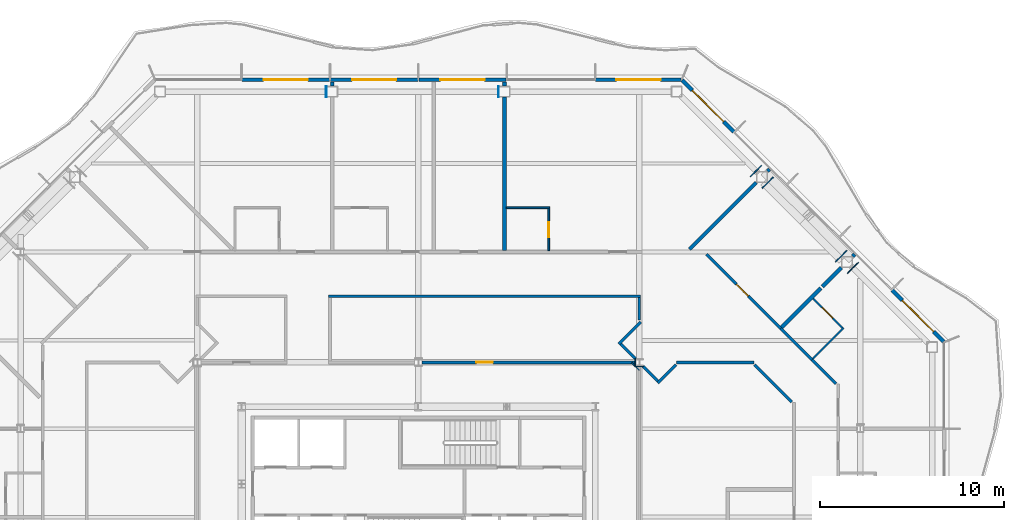
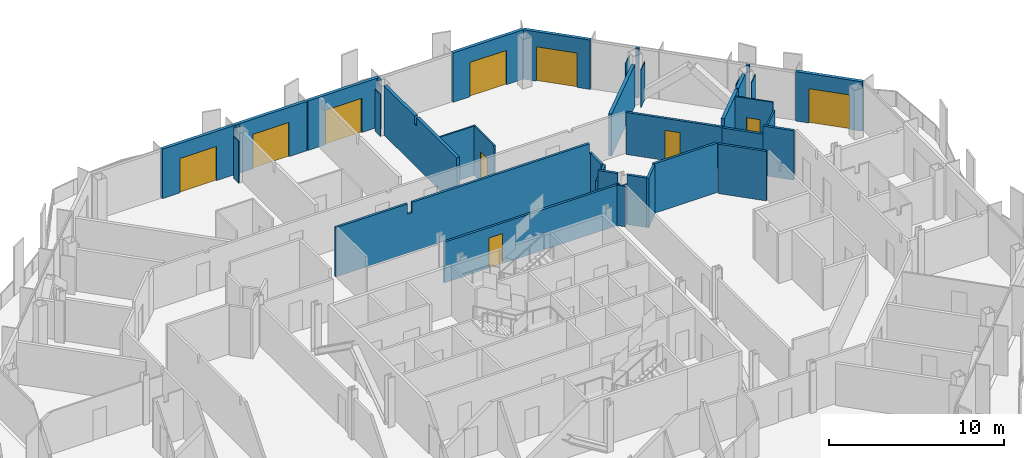
# One storey, part 13 of 20: 39 walls, 10 doors, 10 openings.
"""IFC4 building model written with IfcOpenShell, lengths in metres."""

from ifc_helpers import new_model, si_unit, direction, frame, frame_2d, origin, place, context, subcontext, project, spatial, polyline, rectangle, outline, extrude, material, layer, layer_set, type_object, element, fill, save


model = new_model("IFC4")

# Units and contexts
model_context = context("Model", 3, precision=1e-05, world=origin(), true_north=direction((0.0, 1.0)))
body_context = subcontext(model_context, "Body", "Model", "MODEL_VIEW")
ifc_project = project(units=[si_unit("LENGTHUNIT", "METRE"), si_unit("AREAUNIT", "SQUARE_METRE"), si_unit("VOLUMEUNIT", "CUBIC_METRE"), si_unit("PLANEANGLEUNIT", "RADIAN"), si_unit("MASSUNIT", "GRAM", prefix="KILO")], contexts=[model_context])

# Site, building, storey
site_placement = place(None, origin())
site = spatial("IfcSite", under=ifc_project, at=site_placement, CompositionType="ELEMENT")
building_placement = place(site_placement, origin())
building = spatial("IfcBuilding", under=site, at=building_placement, Name="Cairn Pilgrim Tower", CompositionType="ELEMENT")
storey_placement = place(building_placement, frame((0.0, 0.0, 165.0)))
storey = spatial("IfcBuildingStorey", under=building, at=storey_placement, Name="L41", CompositionType="ELEMENT", Elevation=165.0)

# Wall, opening, door
ifc_material_1 = material(Name="Bronze anodised aluminium insulated sandwich panel with mineral wool fill", Category="aluminium")
ifc_layer_1 = layer(ifc_material_1, 0.199951171875)
ifc_layer_set_1 = layer_set([ifc_layer_1], Name="BRONZE INFILL FRAME WALL 200")
wall_type_1 = type_object("IfcWallType", Name="BRONZE INFILL FRAME WALL 200", PredefinedType="NOTDEFINED", material=ifc_layer_set_1)
wall_1_placement = place(storey_placement, frame((35.7216796875, 14.32470703125, 0.0), z_axis=(0.0, 0.0, 1.0), x_axis=(-0.707106781187, 0.707106781187, 0.0)))
wall_1 = element("IfcWall", 1, at=wall_1_placement, inside=storey, type_object=wall_type_1, Name="Bronze infill frame wall IW-NE1", PredefinedType="NOTDEFINED", context=body_context, shape_type="SweptSolid", body=[
    extrude(rectangle(XDim=3.961669921875, YDim=0.199951171875, at=frame_2d((1.98095703125, 0.0))), origin(), (0.0, 0.0, 1.0), 3.449951171875),
])
opening_1_placement = place(wall_1_placement, frame((0.775390625, 0.0, 0.0)))
opening_1 = element("IfcOpeningElement", 2, at=opening_1_placement, cuts=wall_1, Name="Opening 4108B", PredefinedType="OPENING", context=body_context, shape_type="SweptSolid", body=[
    extrude(rectangle(XDim=2.39990234375, YDim=2.39990234375, at=frame_2d((1.199951171875, 1.199951171875))), frame((0.0, 0.10986328125, 0.0), z_axis=(0.0, -1.0, 0.0), x_axis=(1.0, 0.0, 0.0)), (0.0, 0.0, 1.0), 0.219970703125),
])
ifc_material_2 = material(Name="Bronze anodised aluminium frame with tinted low-E glass", Category="aluminium")
door_type_1 = type_object("IfcDoorType", Name="BALCONY SLIDING DOOR 2400x2400", OperationType="DOUBLE_DOOR_SLIDING", PredefinedType="DOOR", material=ifc_material_2)
door_1_placement = place(opening_1_placement, origin())
door_1 = element("IfcDoor", 3, at=door_1_placement, inside=storey, type_object=door_type_1, Name="Balcony sliding door 4108B", OperationType="SINGLE_SWING_LEFT", OverallHeight=2.39990234375, OverallWidth=2.39990234375, PredefinedType="DOOR", context=body_context, shape_type="SweptSolid", body=[
    extrude(rectangle(XDim=2.39990234375, YDim=2.39990234375, at=frame_2d((1.199951171875, 1.199951171875))), frame((0.0, 0.02490234375, 0.0), z_axis=(0.0, -1.0, 0.0), x_axis=(1.0, 0.0, 0.0)), (0.0, 0.0, 1.0), 0.050048828125),
])
fill(opening_1, door_1)

wall_2_placement = place(storey_placement, frame((24.325927734375, 25.720458984375, 0.0), z_axis=(0.0, 0.0, 1.0), x_axis=(-0.707106781187, 0.707106781187, 0.0)))
wall_2 = element("IfcWall", 4, at=wall_2_placement, inside=storey, type_object=wall_type_1, Name="Bronze infill frame wall IW-NE5", PredefinedType="NOTDEFINED", context=body_context, shape_type="SweptSolid", body=[
    extrude(rectangle(XDim=3.961669921875, YDim=0.199951171875, at=frame_2d((1.98095703125, 0.0))), origin(), (0.0, 0.0, 1.0), 3.449951171875),
])
opening_2_placement = place(wall_2_placement, frame((0.78564453125, 0.0, 0.0)))
opening_2 = element("IfcOpeningElement", 5, at=opening_2_placement, cuts=wall_2, Name="Opening 4110B", PredefinedType="OPENING", context=body_context, shape_type="SweptSolid", body=[
    extrude(rectangle(XDim=2.39990234375, YDim=2.39990234375, at=frame_2d((1.199951171875, 1.199951171875))), frame((0.0, 0.10986328125, 0.0), z_axis=(0.0, -1.0, 0.0), x_axis=(1.0, 0.0, 0.0)), (0.0, 0.0, 1.0), 0.219970703125),
])
door_2_placement = place(opening_2_placement, origin())
door_2 = element("IfcDoor", 6, at=door_2_placement, inside=storey, type_object=door_type_1, Name="Balcony sliding door 4110B", OperationType="SINGLE_SWING_LEFT", OverallHeight=2.39990234375, OverallWidth=2.39990234375, PredefinedType="DOOR", context=body_context, shape_type="SweptSolid", body=[
    extrude(rectangle(XDim=2.39990234375, YDim=2.39990234375, at=frame_2d((1.199951171875, 1.199951171875))), frame((0.0, 0.02490234375, 0.0), z_axis=(0.0, -1.0, 0.0), x_axis=(1.0, 0.0, 0.0)), (0.0, 0.0, 1.0), 0.050048828125),
])
fill(opening_2, door_2)

wall_3_placement = place(storey_placement, frame((21.45654296875, 28.550048828125, 0.0), z_axis=(0.0, 0.0, 1.0), x_axis=(-1.0, 0.0, 0.0)))
wall_3 = element("IfcWall", 7, at=wall_3_placement, inside=storey, type_object=wall_type_1, Name="Bronze infill frame wall IW-N1", PredefinedType="NOTDEFINED", context=body_context, shape_type="SweptSolid", body=[
    extrude(rectangle(XDim=4.62646484375, YDim=0.199951171875, at=frame_2d((2.313232421875, 0.0))), origin(), (0.0, 0.0, 1.0), 3.449951171875),
])
opening_3_placement = place(wall_3_placement, frame((1.1083984375, 0.0, 0.0)))
opening_3 = element("IfcOpeningElement", 8, at=opening_3_placement, cuts=wall_3, Name="Opening 4110B2", PredefinedType="OPENING", context=body_context, shape_type="SweptSolid", body=[
    extrude(rectangle(XDim=2.39990234375, YDim=2.39990234375, at=frame_2d((1.199951171875, 1.199951171875))), frame((0.0, 0.10986328125, 0.0), z_axis=(0.0, -1.0, 0.0), x_axis=(1.0, 0.0, 0.0)), (0.0, 0.0, 1.0), 0.219970703125),
])
door_3_placement = place(opening_3_placement, origin())
door_3 = element("IfcDoor", 9, at=door_3_placement, inside=storey, type_object=door_type_1, Name="Balcony sliding door 4110B2", OperationType="SINGLE_SWING_LEFT", OverallHeight=2.39990234375, OverallWidth=2.39990234375, PredefinedType="DOOR", context=body_context, shape_type="SweptSolid", body=[
    extrude(rectangle(XDim=2.39990234375, YDim=2.39990234375, at=frame_2d((1.199951171875, 1.199951171875))), frame((0.0, 0.02490234375, 0.0), z_axis=(0.0, -1.0, 0.0), x_axis=(1.0, 0.0, 0.0)), (0.0, 0.0, 1.0), 0.050048828125),
])
fill(opening_3, door_3)

wall_4_placement = place(storey_placement, frame((11.969970703125, 28.550048828125, 0.0), z_axis=(0.0, 0.0, 1.0), x_axis=(-1.0, 0.0, 0.0)))
wall_4 = element("IfcWall", 10, at=wall_4_placement, inside=storey, type_object=wall_type_1, Name="Bronze infill frame wall IW-N3", PredefinedType="NOTDEFINED", context=body_context, shape_type="SweptSolid", body=[
    extrude(rectangle(XDim=4.739990234375, YDim=0.199951171875, at=frame_2d((2.3701171875, 0.0))), origin(), (0.0, 0.0, 1.0), 3.449951171875),
])
opening_4_placement = place(wall_4_placement, frame((1.17041015625, 0.0, 0.0)))
opening_4 = element("IfcOpeningElement", 11, at=opening_4_placement, cuts=wall_4, Name="Opening 4111B", PredefinedType="OPENING", context=body_context, shape_type="SweptSolid", body=[
    extrude(rectangle(XDim=2.39990234375, YDim=2.39990234375, at=frame_2d((1.199951171875, 1.199951171875))), frame((0.0, 0.10986328125, 0.0), z_axis=(0.0, -1.0, 0.0), x_axis=(1.0, 0.0, 0.0)), (0.0, 0.0, 1.0), 0.219970703125),
])
door_4_placement = place(opening_4_placement, origin())
door_4 = element("IfcDoor", 12, at=door_4_placement, inside=storey, type_object=door_type_1, Name="Balcony sliding door 4111B", OperationType="SINGLE_SWING_LEFT", OverallHeight=2.39990234375, OverallWidth=2.39990234375, PredefinedType="DOOR", context=body_context, shape_type="SweptSolid", body=[
    extrude(rectangle(XDim=2.39990234375, YDim=2.39990234375, at=frame_2d((1.199951171875, 1.199951171875))), frame((0.0, 0.02490234375, 0.0), z_axis=(0.0, -1.0, 0.0), x_axis=(1.0, 0.0, 0.0)), (0.0, 0.0, 1.0), 0.050048828125),
])
fill(opening_4, door_4)

wall_5_placement = place(storey_placement, frame((7.169921875, 28.550048828125, 0.0), z_axis=(0.0, 0.0, 1.0), x_axis=(-1.0, 0.0, 0.0)))
wall_5 = element("IfcWall", 13, at=wall_5_placement, inside=storey, type_object=wall_type_1, Name="Bronze infill frame wall IW-N4", PredefinedType="NOTDEFINED", context=body_context, shape_type="SweptSolid", body=[
    extrude(rectangle(XDim=4.739990234375, YDim=0.199951171875, at=frame_2d((2.3701171875, 0.0))), origin(), (0.0, 0.0, 1.0), 3.449951171875),
])
opening_5_placement = place(wall_5_placement, frame((1.17041015625, 0.0, 0.0)))
opening_5 = element("IfcOpeningElement", 14, at=opening_5_placement, cuts=wall_5, Name="Opening 4112B", PredefinedType="OPENING", context=body_context, shape_type="SweptSolid", body=[
    extrude(rectangle(XDim=2.39990234375, YDim=2.39990234375, at=frame_2d((1.199951171875, 1.199951171875))), frame((0.0, 0.10986328125, 0.0), z_axis=(0.0, -1.0, 0.0), x_axis=(1.0, 0.0, 0.0)), (0.0, 0.0, 1.0), 0.219970703125),
])
door_5_placement = place(opening_5_placement, origin())
door_5 = element("IfcDoor", 15, at=door_5_placement, inside=storey, type_object=door_type_1, Name="Balcony sliding door 4112B", OperationType="SINGLE_SWING_LEFT", OverallHeight=2.39990234375, OverallWidth=2.39990234375, PredefinedType="DOOR", context=body_context, shape_type="SweptSolid", body=[
    extrude(rectangle(XDim=2.39990234375, YDim=2.39990234375, at=frame_2d((1.199951171875, 1.199951171875))), frame((0.0, 0.02490234375, 0.0), z_axis=(0.0, -1.0, 0.0), x_axis=(1.0, 0.0, 0.0)), (0.0, 0.0, 1.0), 0.050048828125),
])
fill(opening_5, door_5)

wall_6_placement = place(storey_placement, frame((2.3701171875, 28.550048828125, 0.0), z_axis=(0.0, 0.0, 1.0), x_axis=(-1.0, 0.0, 0.0)))
wall_6 = element("IfcWall", 16, at=wall_6_placement, inside=storey, type_object=wall_type_1, Name="Bronze infill frame wall IW-N5", PredefinedType="NOTDEFINED", context=body_context, shape_type="SweptSolid", body=[
    extrude(rectangle(XDim=4.740234375, YDim=0.199951171875, at=frame_2d((2.3701171875, 0.0))), origin(), (0.0, 0.0, 1.0), 3.449951171875),
])
opening_6_placement = place(wall_6_placement, frame((1.169677734375, 0.0, 0.0)))
opening_6 = element("IfcOpeningElement", 17, at=opening_6_placement, cuts=wall_6, Name="Opening 4113B", PredefinedType="OPENING", context=body_context, shape_type="SweptSolid", body=[
    extrude(rectangle(XDim=2.39990234375, YDim=2.39990234375, at=frame_2d((1.199951171875, 1.199951171875))), frame((0.0, 0.10986328125, 0.0), z_axis=(0.0, -1.0, 0.0), x_axis=(1.0, 0.0, 0.0)), (0.0, 0.0, 1.0), 0.219970703125),
])
door_6_placement = place(opening_6_placement, origin())
door_6 = element("IfcDoor", 18, at=door_6_placement, inside=storey, type_object=door_type_1, Name="Balcony sliding door 4113B", OperationType="SINGLE_SWING_LEFT", OverallHeight=2.39990234375, OverallWidth=2.39990234375, PredefinedType="DOOR", context=body_context, shape_type="SweptSolid", body=[
    extrude(rectangle(XDim=2.39990234375, YDim=2.39990234375, at=frame_2d((1.199951171875, 1.199951171875))), frame((0.0, 0.02490234375, 0.0), z_axis=(0.0, -1.0, 0.0), x_axis=(1.0, 0.0, 0.0)), (0.0, 0.0, 1.0), 0.050048828125),
])
fill(opening_6, door_6)

# Wall
ifc_material_3 = material(Name="Gypsum partition")
ifc_layer_2 = layer(ifc_material_3, 0.10009765625)
ifc_layer_set_2 = layer_set([ifc_layer_2], Name="PARTITION 100 DRYWALL")
wall_type_2 = type_object("IfcWallType", Name="PARTITION 100 DRYWALL", PredefinedType="PARTITIONING", material=ifc_layer_set_2)
wall_7_placement = place(storey_placement, frame((28.6201171875, 13.40087890625, 0.0), z_axis=(0.0, 0.0, 1.0), x_axis=(0.707055379538, 0.707158179099, 0.0)))
element("IfcWall", 19, at=wall_7_placement, inside=storey, type_object=wall_type_2, Name="PARTITION W085", PredefinedType="PARTITIONING", context=body_context, shape_type="SweptSolid", body=[
    extrude(rectangle(XDim=2.375, YDim=0.10009765625, at=frame_2d((1.1875, 0.0))), origin(), (0.0, 0.0, 1.0), 2.8798828125),
])

# Wall, opening, door
wall_8_placement = place(storey_placement, frame((30.228515625, 15.080322265625, 0.0), z_axis=(0.0, 0.0, 1.0), x_axis=(-0.707052524, 0.70716103421, 0.0)))
wall_8 = element("IfcWall", 20, at=wall_8_placement, inside=storey, type_object=wall_type_2, Name="PARTITION W091", PredefinedType="PARTITIONING", context=body_context, shape_type="SweptSolid", body=[
    extrude(rectangle(XDim=2.25, YDim=0.10009765625, at=frame_2d((1.125, 0.0))), origin(), (0.0, 0.0, 1.0), 3.449951171875),
])
opening_7_placement = place(wall_8_placement, frame((0.75, 0.0, 0.0)))
opening_7 = element("IfcOpeningElement", 21, at=opening_7_placement, cuts=wall_8, Name="Opening 4108A", PredefinedType="OPENING", context=body_context, shape_type="SweptSolid", body=[
    extrude(rectangle(XDim=0.800048828125, YDim=2.10009765625, at=frame_2d((0.39990234375, 1.050048828125))), frame((0.0, 0.06005859375, 0.0), z_axis=(0.0, -1.0, 0.0), x_axis=(1.0, 0.0, 0.0)), (0.0, 0.0, 1.0), 0.1201171875),
])
ifc_material_4 = material(Name="Timber door leaf", Category="wood")
door_type_2 = type_object("IfcDoorType", Name="WC DOOR 800x2100", OperationType="NOTDEFINED", PredefinedType="DOOR", material=ifc_material_4)
door_7_placement = place(opening_7_placement, frame((0.800048828125, 0.0, 0.0), z_axis=(0.0, 0.0, 1.0), x_axis=(-1.0, 0.0, 0.0)))
door_7 = element("IfcDoor", 22, at=door_7_placement, inside=storey, type_object=door_type_2, Name="DOOR 4108A", OperationType="SINGLE_SWING_RIGHT", OverallHeight=2.10009765625, OverallWidth=0.800048828125, PredefinedType="DOOR", context=body_context, shape_type="SweptSolid", body=[
    extrude(rectangle(XDim=0.800048828125, YDim=2.10009765625, at=frame_2d((0.39990234375, 1.050048828125))), frame((0.0, 0.02490234375, 0.0), z_axis=(0.0, -1.0, 0.0), x_axis=(1.0, 0.0, 0.0)), (0.0, 0.0, 1.0), 0.050048828125),
])
fill(opening_7, door_7)

wall_9_placement = place(storey_placement, frame((14.27587890625, 19.27490234375, 0.0), z_axis=(0.0, 0.0, 1.0), x_axis=(0.0, 1.0, 0.0)))
wall_9 = element("IfcWall", 23, at=wall_9_placement, inside=storey, type_object=wall_type_2, Name="PARTITION W110", PredefinedType="PARTITIONING", context=body_context, shape_type="SweptSolid", body=[
    extrude(outline(polyline([(0.0, 0.0), (2.275146484375, 0.0), (2.27490234375, 3.449951171875), (0.030029296875, 3.449951171875), (0.028076171875, 2.8798828125), (0.0, 2.8798828125), (0.0, 0.0)])), frame((0.0, 0.050048828125, 0.0), z_axis=(0.0, -1.0, 0.0), x_axis=(1.0, 0.0, 0.0)), (0.0, 0.0, 1.0), 0.10009765625),
])
opening_8_placement = place(wall_9_placement, frame((0.72509765625, 0.0, 0.0)))
opening_8 = element("IfcOpeningElement", 24, at=opening_8_placement, cuts=wall_9, Name="Opening 4110A", PredefinedType="OPENING", context=body_context, shape_type="SweptSolid", body=[
    extrude(rectangle(XDim=0.800048828125, YDim=2.10009765625, at=frame_2d((0.39990234375, 1.050048828125))), frame((0.0, 0.06005859375, 0.0), z_axis=(0.0, -1.0, 0.0), x_axis=(1.0, 0.0, 0.0)), (0.0, 0.0, 1.0), 0.1201171875),
])
door_8_placement = place(opening_8_placement, frame((0.800048828125, 0.0, 0.0), z_axis=(0.0, 0.0, 1.0), x_axis=(-1.0, 0.0, 0.0)))
door_8 = element("IfcDoor", 25, at=door_8_placement, inside=storey, type_object=door_type_2, Name="DOOR 4110A", OperationType="SINGLE_SWING_LEFT", OverallHeight=2.10009765625, OverallWidth=0.800048828125, PredefinedType="DOOR", context=body_context, shape_type="SweptSolid", body=[
    extrude(rectangle(XDim=0.800048828125, YDim=2.10009765625, at=frame_2d((0.39990234375, 1.050048828125))), frame((0.0, 0.02490234375, 0.0), z_axis=(0.0, -1.0, 0.0), x_axis=(1.0, 0.0, 0.0)), (0.0, 0.0, 1.0), 0.050048828125),
])
fill(opening_8, door_8)

# Walls
wall_10_placement = place(storey_placement, frame((11.97607421875, 21.60009765625, 0.0), z_axis=(0.0, 0.0, 1.0), x_axis=(1.0, 0.0, 0.0)))
element("IfcWall", 26, at=wall_10_placement, inside=storey, type_object=wall_type_2, Name="PARTITION W115", PredefinedType="PARTITIONING", context=body_context, shape_type="SweptSolid", body=[
    extrude(rectangle(XDim=2.349853515625, YDim=0.10009765625, at=frame_2d((1.1748046875, 0.0))), origin(), (0.0, 0.0, 1.0), 3.449951171875),
])
ifc_layer_3 = layer(ifc_material_3, 0.14990234375)
ifc_layer_set_3 = layer_set([ifc_layer_3], Name="PARTITION 150 DRYWALL EI 60")
wall_type_3 = type_object("IfcWallType", Name="PARTITION 150 DRYWALL EI 60", PredefinedType="PARTITIONING", material=ifc_layer_set_3)
wall_11_placement = place(storey_placement, frame((27.471923828125, 11.049072265625, 0.0), z_axis=(0.0, 0.0, 1.0), x_axis=(-0.707106781187, 0.707106781187, 0.0)))
element("IfcWall", 27, at=wall_11_placement, inside=storey, type_object=wall_type_3, Name="PARTITION W068", PredefinedType="PARTITIONING", context=body_context, shape_type="SweptSolid", body=[
    extrude(rectangle(XDim=2.86083984375, YDim=0.14990234375, at=frame_2d((1.430419921875, 0.0))), origin(), (0.0, 0.0, 1.0), 3.449951171875),
])
wall_12_placement = place(storey_placement, frame((29.8720703125, 12.04296875, 0.0), z_axis=(0.0, 0.0, 1.0), x_axis=(-0.707172918471, 0.707040637716, 0.0)))
element("IfcWall", 28, at=wall_12_placement, inside=storey, type_object=wall_type_3, Name="PARTITION W070", PredefinedType="PARTITIONING", context=body_context, shape_type="SweptSolid", body=[
    extrude(rectangle(XDim=1.845703125, YDim=0.14990234375, at=frame_2d((0.9228515625, 0.0))), origin(), (0.0, 0.0, 1.0), 3.449951171875),
])
wall_13_placement = place(storey_placement, frame((20.2080078125, 12.0859375, 0.0), z_axis=(0.0, 0.0, 1.0), x_axis=(0.706756381459, 0.707457007363, 0.0)))
element("IfcWall", 29, at=wall_13_placement, inside=storey, type_object=wall_type_3, Name="PARTITION W072", PredefinedType="PARTITIONING", context=body_context, shape_type="SweptSolid", body=[
    extrude(rectangle(XDim=1.393798828125, YDim=0.14990234375, at=frame_2d((0.69677734375, 0.0))), origin(), (0.0, 0.0, 1.0), 3.449951171875),
])
wall_14_placement = place(storey_placement, frame((20.2080078125, 12.192138671875, 0.0), z_axis=(0.0, 0.0, 1.0), x_axis=(-0.70721334539, 0.707000200921, 0.0)))
element("IfcWall", 30, at=wall_14_placement, inside=storey, type_object=wall_type_3, Name="PARTITION W074", PredefinedType="PARTITIONING", context=body_context, shape_type="SweptSolid", body=[
    extrude(rectangle(XDim=1.1455078125, YDim=0.14990234375, at=frame_2d((0.57275390625, 0.0))), origin(), (0.0, 0.0, 1.0), 3.449951171875),
])

# Wall, opening, door
wall_15_placement = place(storey_placement, frame((7.3994140625, 13.199951171875, 0.0), z_axis=(0.0, 0.0, 1.0), x_axis=(1.0, 0.0, 0.0)))
wall_15 = element("IfcWall", 31, at=wall_15_placement, inside=storey, type_object=wall_type_3, Name="PARTITION W078", PredefinedType="PARTITIONING", context=body_context, shape_type="SweptSolid", body=[
    extrude(rectangle(XDim=11.60107421875, YDim=0.14990234375, at=frame_2d((5.800537109375, 0.0))), origin(), (0.0, 0.0, 1.0), 2.830078125),
])
opening_9_placement = place(wall_15_placement, frame((2.950439453125, 0.0, 0.0)))
opening_9 = element("IfcOpeningElement", 32, at=opening_9_placement, cuts=wall_15, Name="Opening 4127", PredefinedType="OPENING", context=body_context, shape_type="SweptSolid", body=[
    extrude(rectangle(XDim=0.89990234375, YDim=2.10009765625, at=frame_2d((0.449951171875, 1.050048828125))), frame((0.0, 0.0849609375, 0.0), z_axis=(0.0, -1.0, 0.0), x_axis=(1.0, 0.0, 0.0)), (0.0, 0.0, 1.0), 0.169921875),
])
door_type_3 = type_object("IfcDoorType", Name="SERVICE DOOR 900x2100 FD30S", OperationType="NOTDEFINED", PredefinedType="DOOR", material=ifc_material_4)
door_9_placement = place(opening_9_placement, origin())
door_9 = element("IfcDoor", 33, at=door_9_placement, inside=storey, type_object=door_type_3, Name="DOOR 4127", OperationType="SINGLE_SWING_RIGHT", OverallHeight=2.10009765625, OverallWidth=0.89990234375, PredefinedType="DOOR", context=body_context, shape_type="SweptSolid", body=[
    extrude(rectangle(XDim=0.89990234375, YDim=2.10009765625, at=frame_2d((0.449951171875, 1.050048828125))), frame((0.0, 0.02490234375, 0.0), z_axis=(0.0, -1.0, 0.0), x_axis=(1.0, 0.0, 0.0)), (0.0, 0.0, 1.0), 0.050048828125),
])
fill(opening_9, door_9)

# Walls
wall_16_placement = place(storey_placement, frame((21.215087890625, 13.199951171875, 0.0), z_axis=(0.0, 0.0, 1.0), x_axis=(1.0, 0.0, 0.0)))
element("IfcWall", 34, at=wall_16_placement, inside=storey, type_object=wall_type_3, Name="PARTITION W079", PredefinedType="PARTITIONING", context=body_context, shape_type="SweptSolid", body=[
    extrude(rectangle(XDim=4.2119140625, YDim=0.14990234375, at=frame_2d((2.10595703125, 0.0))), origin(), (0.0, 0.0, 1.0), 3.449951171875),
])
wall_17_placement = place(storey_placement, frame((28.56689453125, 13.347900390625, 0.0), z_axis=(0.0, 0.0, 1.0), x_axis=(-0.707310148094, 0.706903355773, 0.0)))
element("IfcWall", 35, at=wall_17_placement, inside=storey, type_object=wall_type_3, Name="PARTITION W082", PredefinedType="PARTITIONING", context=body_context, shape_type="SweptSolid", body=[
    extrude(rectangle(XDim=2.400634765625, YDim=0.14990234375, at=frame_2d((1.2001953125, 0.0))), origin(), (0.0, 0.0, 1.0), 2.8798828125),
])
wall_18_placement = place(storey_placement, frame((19.001953125, 13.39794921875, 0.0), z_axis=(0.0, 0.0, 1.0), x_axis=(-0.707000200921, 0.70721334539, 0.0)))
element("IfcWall", 36, at=wall_18_placement, inside=storey, type_object=wall_type_3, Name="PARTITION W084", PredefinedType="PARTITIONING", context=body_context, shape_type="SweptSolid", body=[
    extrude(rectangle(XDim=1.1455078125, YDim=0.14990234375, at=frame_2d((0.57275390625, 0.0))), origin(), (0.0, 0.0, 1.0), 3.449951171875),
])
wall_19_placement = place(storey_placement, frame((18.0859375, 14.2080078125, 0.0), z_axis=(0.0, 0.0, 1.0), x_axis=(0.70739723372, 0.706816209298, 0.0)))
element("IfcWall", 37, at=wall_19_placement, inside=storey, type_object=wall_type_3, Name="PARTITION W087", PredefinedType="PARTITIONING", context=body_context, shape_type="SweptSolid", body=[
    extrude(rectangle(XDim=1.6806640625, YDim=0.14990234375, at=frame_2d((0.84033203125, 0.0))), origin(), (0.0, 0.0, 1.0), 2.72998046875),
])

# Wall, opening, door
wall_20_placement = place(storey_placement, frame((26.868896484375, 15.044921875, 0.0), z_axis=(0.0, 0.0, 1.0), x_axis=(-0.706999586952, 0.707213959174, 0.0)))
wall_20 = element("IfcWall", 38, at=wall_20_placement, inside=storey, type_object=wall_type_3, Name="PARTITION W089", PredefinedType="PARTITIONING", context=body_context, shape_type="SweptSolid", body=[
    extrude(rectangle(XDim=5.6943359375, YDim=0.14990234375, at=frame_2d((2.84716796875, 0.0))), origin(), (0.0, 0.0, 1.0), 2.929931640625),
])
opening_10_placement = place(wall_20_placement, frame((2.4873046875, 0.0, 0.0)))
opening_10 = element("IfcOpeningElement", 39, at=opening_10_placement, cuts=wall_20, Name="Opening 4109", PredefinedType="OPENING", context=body_context, shape_type="SweptSolid", body=[
    extrude(rectangle(XDim=0.89990234375, YDim=2.10009765625, at=frame_2d((0.449951171875, 1.050048828125))), frame((0.0, 0.0849609375, 0.0), z_axis=(0.0, -1.0, 0.0), x_axis=(1.0, 0.0, 0.0)), (0.0, 0.0, 1.0), 0.169921875),
])
door_10_placement = place(opening_10_placement, frame((0.89990234375, 0.0, 0.0), z_axis=(0.0, 0.0, 1.0), x_axis=(-1.0, 0.0, 0.0)))
door_10 = element("IfcDoor", 40, at=door_10_placement, inside=storey, type_object=door_type_3, Name="DOOR 4109", OperationType="SINGLE_SWING_RIGHT", OverallHeight=2.10009765625, OverallWidth=0.89990234375, PredefinedType="DOOR", context=body_context, shape_type="SweptSolid", body=[
    extrude(rectangle(XDim=0.89990234375, YDim=2.10009765625, at=frame_2d((0.449951171875, 1.050048828125))), frame((0.0, 0.02490234375, 0.0), z_axis=(0.0, -1.0, 0.0), x_axis=(1.0, 0.0, 0.0)), (0.0, 0.0, 1.0), 0.050048828125),
])
fill(opening_10, door_10)

# Walls
wall_21_placement = place(storey_placement, frame((19.199951171875, 15.501953125, 0.0), z_axis=(0.0, 0.0, 1.0), x_axis=(0.0, 1.0, 0.0)))
element("IfcWall", 41, at=wall_21_placement, inside=storey, type_object=wall_type_3, Name="PARTITION W093", PredefinedType="PARTITIONING", context=body_context, shape_type="SweptSolid", body=[
    extrude(rectangle(XDim=1.22314453125, YDim=0.14990234375, at=frame_2d((0.611572265625, 0.0))), origin(), (0.0, 0.0, 1.0), 2.72998046875),
])
wall_22_placement = place(storey_placement, frame((2.324951171875, 16.800048828125, 0.0), z_axis=(0.0, 0.0, 1.0), x_axis=(1.0, 0.0, 0.0)))
element("IfcWall", 42, at=wall_22_placement, inside=storey, type_object=wall_type_3, Name="PARTITION W097", PredefinedType="PARTITIONING", context=body_context, shape_type="SweptSolid", body=[
    extrude(outline(polyline([(0.0, 0.0), (16.949951171875, 0.0), (16.949951171875, 2.72998046875), (16.72509765625, 2.72998046875), (16.722900390625, 3.449951171875), (5.02490234375, 3.449951171875), (5.02294921875, 2.72998046875), (4.72509765625, 2.72998046875), (4.722900390625, 3.449951171875), (0.0, 3.449951171875), (0.0, 0.0)])), frame((0.0, 0.074951171875, 0.0), z_axis=(0.0, -1.0, 0.0), x_axis=(1.0, 0.0, 0.0)), (0.0, 0.0, 1.0), 0.14990234375),
])
ifc_layer_4 = layer(ifc_material_3, 0.050048828125)
ifc_layer_set_4 = layer_set([ifc_layer_4], Name="PARTITION 50 DRYWALL EI 60")
wall_type_4 = type_object("IfcWallType", Name="PARTITION 50 DRYWALL EI 60", PredefinedType="PARTITIONING", material=ifc_layer_set_4)
wall_23_placement = place(storey_placement, frame((18.9755859375, 13.00341796875, 0.0), z_axis=(0.0, 0.0, 1.0), x_axis=(0.0, 1.0, 0.0)))
element("IfcWall", 43, at=wall_23_placement, inside=storey, type_object=wall_type_4, Name="COLUMN CASING WC16", PredefinedType="PARTITIONING", context=body_context, shape_type="SweptSolid", body=[
    extrude(rectangle(XDim=0.39306640625, YDim=0.050048828125, at=frame_2d((0.196533203125, 0.0))), origin(), (0.0, 0.0, 1.0), 2.830078125),
])
wall_24_placement = place(storey_placement, frame((19.182373046875, 12.786376953125, 0.0), z_axis=(0.0, 0.0, 1.0), x_axis=(-0.707106781187, 0.707106781187, 0.0)))
element("IfcWall", 44, at=wall_24_placement, inside=storey, type_object=wall_type_4, Name="COLUMN CASING WC24", PredefinedType="PARTITIONING", context=body_context, shape_type="SweptSolid", body=[
    extrude(rectangle(XDim=0.56005859375, YDim=0.050048828125, at=frame_2d((0.280029296875, 0.0))), origin(), (0.0, 0.0, 1.0), 2.830078125),
])
wall_25_placement = place(storey_placement, frame((19.00048828125, 12.978515625, 0.0), z_axis=(0.0, 0.0, 1.0), x_axis=(1.0, 0.0, 0.0)))
element("IfcWall", 45, at=wall_25_placement, inside=storey, type_object=wall_type_4, Name="COLUMN CASING WC27", PredefinedType="PARTITIONING", context=body_context, shape_type="SweptSolid", body=[
    extrude(rectangle(XDim=0.39892578125, YDim=0.050048828125, at=frame_2d((0.199462890625, 0.0))), origin(), (0.0, 0.0, 1.0), 2.830078125),
])
wall_26_placement = place(storey_placement, frame((29.85791015625, 18.669189453125, 0.0), z_axis=(0.0, 0.0, 1.0), x_axis=(0.707106781187, 0.707106781187, 0.0)))
element("IfcWall", 46, at=wall_26_placement, inside=storey, type_object=wall_type_4, Name="COLUMN CASING WC29", PredefinedType="PARTITIONING", context=body_context, shape_type="SweptSolid", body=[
    extrude(rectangle(XDim=0.8486328125, YDim=0.050048828125, at=frame_2d((0.42431640625, 0.0))), origin(), (0.0, 0.0, 1.0), 2.6298828125),
])
wall_27_placement = place(storey_placement, frame((30.493408203125, 18.03369140625, 0.0), z_axis=(0.0, 0.0, 1.0), x_axis=(0.707106781187, 0.707106781187, 0.0)))
element("IfcWall", 47, at=wall_27_placement, inside=storey, type_object=wall_type_4, Name="COLUMN CASING WC30", PredefinedType="PARTITIONING", context=body_context, shape_type="SweptSolid", body=[
    extrude(rectangle(XDim=0.8486328125, YDim=0.050048828125, at=frame_2d((0.42431640625, 0.0))), origin(), (0.0, 0.0, 1.0), 2.929931640625),
])
for number, where, z_axis, x_axis, name in (
    (48, (2.19921875, 27.60009765625, 0.0), (0.0, 0.0, 1.0), (0.0, 1.0, 0.0), "COLUMN CASING WC33"),
    (49, (11.55078125, 27.60009765625, 0.0), (0.0, 0.0, 1.0), (0.0, 1.0, 0.0), "COLUMN CASING WC34"),
):
    element("IfcWall", number, at=place(storey_placement, frame(where, z_axis=z_axis, x_axis=x_axis)), inside=storey, type_object=wall_type_4, Name=name, PredefinedType="PARTITIONING", context=body_context, shape_type="SweptSolid", body=[
        extrude(rectangle(XDim=0.599853515625, YDim=0.050048828125, at=frame_2d((0.2998046875, 0.0))), origin(), (0.0, 0.0, 1.0), 2.929931640625),
    ])
wall_28_placement = place(storey_placement, frame((25.23388671875, 23.29345703125, 0.0), z_axis=(0.0, 0.0, 1.0), x_axis=(0.707106781187, 0.707106781187, 0.0)))
element("IfcWall", 50, at=wall_28_placement, inside=storey, type_object=wall_type_4, Name="COLUMN CASING WC35", PredefinedType="PARTITIONING", context=body_context, shape_type="SweptSolid", body=[
    extrude(rectangle(XDim=0.848388671875, YDim=0.050048828125, at=frame_2d((0.42431640625, 0.0))), origin(), (0.0, 0.0, 1.0), 2.929931640625),
])
wall_29_placement = place(storey_placement, frame((25.869140625, 22.657958984375, 0.0), z_axis=(0.0, 0.0, 1.0), x_axis=(0.707106781187, 0.707106781187, 0.0)))
element("IfcWall", 51, at=wall_29_placement, inside=storey, type_object=wall_type_4, Name="COLUMN CASING WC36", PredefinedType="PARTITIONING", context=body_context, shape_type="SweptSolid", body=[
    extrude(rectangle(XDim=0.8486328125, YDim=0.050048828125, at=frame_2d((0.42431640625, 0.0))), origin(), (0.0, 0.0, 1.0), 2.6298828125),
])
ifc_layer_5 = layer(ifc_material_3, 0.199951171875)
ifc_layer_set_5 = layer_set([ifc_layer_5], Name="SHAFT WALL 200 GYPSUM EI 60")
wall_type_5 = type_object("IfcWallType", Name="SHAFT WALL 200 GYPSUM EI 60", PredefinedType="PARTITIONING", material=ifc_layer_set_5)
wall_30_placement = place(storey_placement, frame((26.922119140625, 15.097900390625, 0.0), z_axis=(0.0, 0.0, 1.0), x_axis=(0.707268147401, 0.706945378138, 0.0)))
element("IfcWall", 52, at=wall_30_placement, inside=storey, type_object=wall_type_5, Name="PARTITION W090", PredefinedType="PARTITIONING", context=body_context, shape_type="SweptSolid", body=[
    extrude(rectangle(XDim=3.025634765625, YDim=0.199951171875, at=frame_2d((1.5126953125, 0.0))), origin(), (0.0, 0.0, 1.0), 3.449951171875),
])
wall_31_placement = place(storey_placement, frame((29.132568359375, 17.307861328125, 0.0), z_axis=(0.0, 0.0, 1.0), x_axis=(0.707024044771, 0.707189507922, 0.0)))
element("IfcWall", 53, at=wall_31_placement, inside=storey, type_object=wall_type_5, Name="PARTITION W098", PredefinedType="PARTITIONING", context=body_context, shape_type="SweptSolid", body=[
    extrude(rectangle(XDim=1.4755859375, YDim=0.199951171875, at=frame_2d((0.73779296875, 0.0))), origin(), (0.0, 0.0, 1.0), 3.449951171875),
])
wall_32_placement = place(storey_placement, frame((30.775634765625, 18.951416015625, 0.0), z_axis=(0.0, 0.0, 1.0), x_axis=(0.706370595651, 0.707842201059, 0.0)))
element("IfcWall", 54, at=wall_32_placement, inside=storey, type_object=wall_type_5, Name="PARTITION W100", PredefinedType="PARTITIONING", context=body_context, shape_type="SweptSolid", body=[
    extrude(rectangle(XDim=0.166015625, YDim=0.199951171875, at=frame_2d((0.0830078125, 0.0))), origin(), (0.0, 0.0, 1.0), 3.449951171875),
])
wall_33_placement = place(storey_placement, frame((11.8759765625, 19.27490234375, 0.0), z_axis=(0.0, 0.0, 1.0), x_axis=(0.0, 1.0, 0.0)))
element("IfcWall", 55, at=wall_33_placement, inside=storey, type_object=wall_type_5, Name="PARTITION W109", PredefinedType="PARTITIONING", context=body_context, shape_type="SweptSolid", body=[
    extrude(outline(polyline([(0.0, 0.0), (8.3251953125, 0.0), (8.324951171875, 3.449951171875), (4.830078125, 3.449951171875), (4.827880859375, 2.8798828125), (4.6201171875, 2.8798828125), (4.617919921875, 3.449951171875), (0.030029296875, 3.449951171875), (0.028076171875, 2.8798828125), (0.0, 2.8798828125), (0.0, 0.0)])), frame((0.0, 0.10009765625, 0.0), z_axis=(0.0, -1.0, 0.0), x_axis=(1.0, 0.0, 0.0)), (0.0, 0.0, 1.0), 0.199951171875),
])
wall_34_placement = place(storey_placement, frame((21.921630859375, 19.345703125, 0.0), z_axis=(0.0, 0.0, 1.0), x_axis=(0.707106781187, 0.707106781187, 0.0)))
element("IfcWall", 56, at=wall_34_placement, inside=storey, type_object=wall_type_5, Name="PARTITION W111", PredefinedType="PARTITIONING", context=body_context, shape_type="SweptSolid", body=[
    extrude(rectangle(XDim=5.133544921875, YDim=0.199951171875, at=frame_2d((2.56689453125, 0.0))), origin(), (0.0, 0.0, 1.0), 2.929931640625),
])
wall_35_placement = place(storey_placement, frame((26.151611328125, 23.57568359375, 0.0), z_axis=(0.0, 0.0, 1.0), x_axis=(0.707106781187, 0.707106781187, 0.0)))
element("IfcWall", 57, at=wall_35_placement, inside=storey, type_object=wall_type_5, Name="PARTITION W117", PredefinedType="PARTITIONING", context=body_context, shape_type="SweptSolid", body=[
    extrude(rectangle(XDim=0.165771484375, YDim=0.199951171875, at=frame_2d((0.0830078125, 0.0))), origin(), (0.0, 0.0, 1.0), 3.449951171875),
])
for number, where, z_axis, x_axis, name in (
    (58, (2.52392578125, 28.199951171875, 0.0), (0.0, 0.0, 1.0), (0.0, 1.0, 0.0), "PARTITION W118"),
    (59, (11.8759765625, 28.199951171875, 0.0), (0.0, 0.0, 1.0), (0.0, 1.0, 0.0), "PARTITION W119"),
):
    element("IfcWall", number, at=place(storey_placement, frame(where, z_axis=z_axis, x_axis=x_axis)), inside=storey, type_object=wall_type_5, Name=name, PredefinedType="PARTITIONING", context=body_context, shape_type="SweptSolid", body=[
        extrude(rectangle(XDim=0.219970703125, YDim=0.199951171875, at=frame_2d((0.10986328125, 0.0))), origin(), (0.0, 0.0, 1.0), 3.449951171875),
    ])

save(model, "model.ifc")
